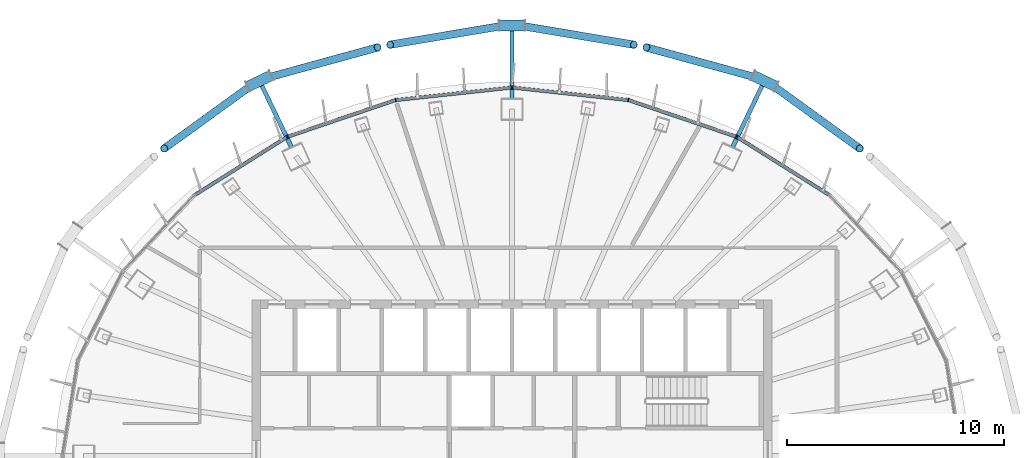
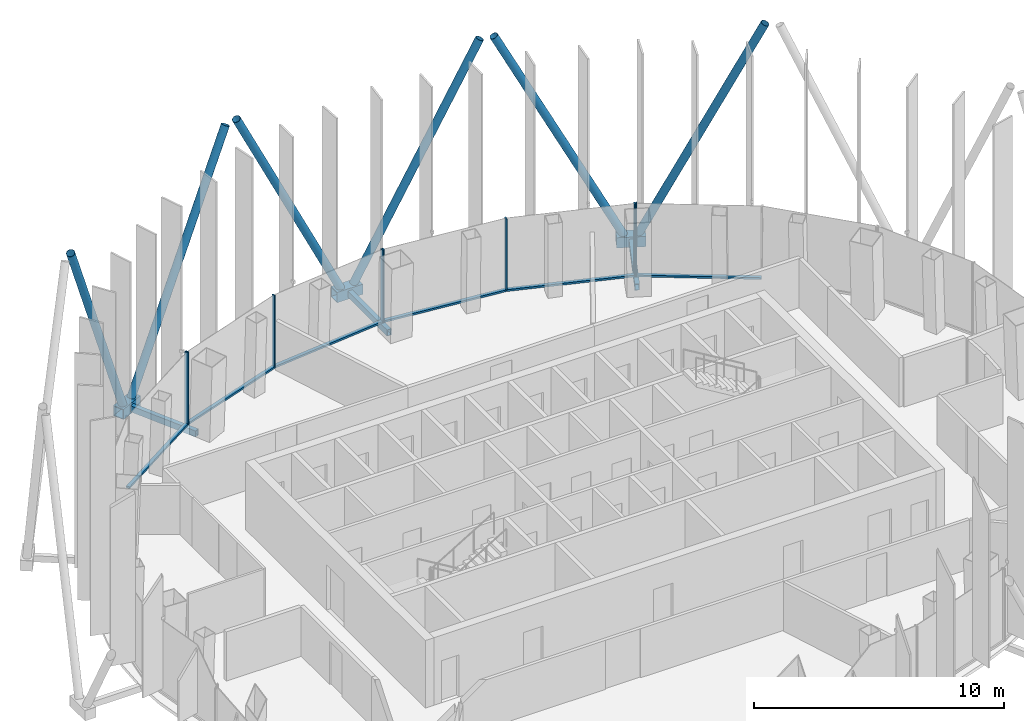
# One storey, part 7 of 19: 26 members, 4 elements without a shape of their own.
"""IFC4 building model written with IfcOpenShell, lengths in metres."""

from ifc_helpers import new_model, si_unit, direction, frame, origin, origin_2d, place, context, subcontext, project, spatial, rectangle, hollow_rectangle, hollow_circle, extrude, material, layer, layer_set, material_profile, profile_set, type_object, element, aggregate, save


model = new_model("IFC4")

# Units and contexts
model_context = context("Model", 3, precision=1e-05, world=origin(), true_north=direction((0.0, 1.0)))
body_context = subcontext(model_context, "Body", "Model", "MODEL_VIEW")
ifc_project = project(units=[si_unit("LENGTHUNIT", "METRE"), si_unit("AREAUNIT", "SQUARE_METRE"), si_unit("VOLUMEUNIT", "CUBIC_METRE"), si_unit("PLANEANGLEUNIT", "RADIAN"), si_unit("MASSUNIT", "GRAM", prefix="KILO")], contexts=[model_context])

# Site, building, storey
site_placement = place(None, origin())
site = spatial("IfcSite", under=ifc_project, at=site_placement, CompositionType="ELEMENT")
building_placement = place(site_placement, origin())
building = spatial("IfcBuilding", under=site, at=building_placement, Name="Siaravel Broadcast Tower", CompositionType="ELEMENT")
storey_placement = place(building_placement, frame((0.0, 0.0, 250.39990234375)))
storey = spatial("IfcBuildingStorey", under=building, at=storey_placement, Name="L61", CompositionType="ELEMENT", Elevation=250.39990234375)

# Curtain wall, member
ifc_material_1 = material(Name="Aluminium 6063-T6", Category="aluminium")
ifc_layer = layer(ifc_material_1, 0.159912109375)
ifc_layer_set = layer_set([ifc_layer], Name="Aluminium 6063-T6")
curtain_wall_type = type_object("IfcCurtainWallType", Name="Unitised curtain wall, zone 4", PredefinedType="NOTDEFINED", material=ifc_layer_set)
curtain_wall_1_placement = place(storey_placement, origin())
curtain_wall_1 = element("IfcCurtainWall", 1, at=curtain_wall_1_placement, inside=storey, type_object=curtain_wall_type, Name="L61 Unitised curtain wall, zone 4 02", PredefinedType="NOTDEFINED")
ifc_material_profile_1 = material_profile(ifc_material_1, rectangle(XDim=0.159912109375, YDim=0.054931640625, at=origin_2d()))
ifc_profile_set_1 = profile_set([ifc_material_profile_1], Name="Aluminium 6063-T6")
member_type_1 = type_object("IfcMemberType", Name="CW-Z4 mullion", PredefinedType="MULLION", material=ifc_profile_set_1)
member_1_placement = place(storey_placement, frame((10.386474609375, 14.702880859375, 0.0), z_axis=(0.0, 0.0, 1.0), x_axis=(-0.532150638, -0.84664969, 0.0)))
member_1 = element("IfcMember", 2, at=member_1_placement, type_object=member_type_1, Name="CW-Z4 mullion 3", PredefinedType="MULLION", context=body_context, shape_type="SweptSolid", body=[
    extrude(rectangle(XDim=0.159912109375, YDim=0.054931640625, at=origin_2d()), origin(), (0.0, 0.0, 1.0), 3.550048828125),
])

# Curtain wall, members
curtain_wall_2_placement = place(storey_placement, origin())
curtain_wall_2 = element("IfcCurtainWall", 3, at=curtain_wall_2_placement, inside=storey, type_object=curtain_wall_type, Name="L61 Unitised curtain wall, zone 4 03", PredefinedType="NOTDEFINED")
member_2_placement = place(storey_placement, frame((10.337158203125, 14.726318359375, 0.0), z_axis=(0.0, 0.0, 1.0), x_axis=(-0.321301584, -0.946976923, 0.0)))
member_2 = element("IfcMember", 4, at=member_2_placement, type_object=member_type_1, Name="CW-Z4 mullion 1", PredefinedType="MULLION", context=body_context, shape_type="SweptSolid", body=[
    extrude(rectangle(XDim=0.159912109375, YDim=0.054931640625, at=origin_2d()), origin(), (0.0, 0.0, 1.0), 3.550048828125),
])
member_3_placement = place(storey_placement, frame((5.364013671875, 16.413818359375, 0.0), z_axis=(0.0, 0.0, 1.0), x_axis=(-0.215558728, -0.976490878, 0.0)))
member_3 = element("IfcMember", 5, at=member_3_placement, type_object=member_type_1, Name="CW-Z4 mullion 2", PredefinedType="MULLION", context=body_context, shape_type="SweptSolid", body=[
    extrude(rectangle(XDim=0.159912109375, YDim=0.054931640625, at=origin_2d()), origin(), (0.0, 0.0, 1.0), 3.550048828125),
])
member_4_placement = place(storey_placement, frame((0.02734375, 16.9892578125, 0.0), z_axis=(0.0, 0.0, 1.0), x_axis=(-0.107217823, -0.994235555, 0.0)))
member_4 = element("IfcMember", 6, at=member_4_placement, type_object=member_type_1, Name="CW-Z4 mullion 3", PredefinedType="MULLION", context=body_context, shape_type="SweptSolid", body=[
    extrude(rectangle(XDim=0.159912109375, YDim=0.054931640625, at=origin_2d()), origin(), (0.0, 0.0, 1.0), 3.550048828125),
])

curtain_wall_3_placement = place(storey_placement, origin())
curtain_wall_3 = element("IfcCurtainWall", 7, at=curtain_wall_3_placement, inside=storey, type_object=curtain_wall_type, Name="L61 Unitised curtain wall, zone 4 04", PredefinedType="NOTDEFINED")
member_5_placement = place(storey_placement, frame((-0.02734375, 16.9892578125, 0.0), z_axis=(0.0, 0.0, 1.0), x_axis=(0.107217823, -0.994235555, 0.0)))
member_5 = element("IfcMember", 8, at=member_5_placement, type_object=member_type_1, Name="CW-Z4 mullion 1", PredefinedType="MULLION", context=body_context, shape_type="SweptSolid", body=[
    extrude(rectangle(XDim=0.159912109375, YDim=0.054931640625, at=origin_2d()), origin(), (0.0, 0.0, 1.0), 3.550048828125),
])
member_6_placement = place(storey_placement, frame((-5.364013671875, 16.413818359375, 0.0), z_axis=(0.0, 0.0, 1.0), x_axis=(0.215558728, -0.976490878, 0.0)))
member_6 = element("IfcMember", 9, at=member_6_placement, type_object=member_type_1, Name="CW-Z4 mullion 2", PredefinedType="MULLION", context=body_context, shape_type="SweptSolid", body=[
    extrude(rectangle(XDim=0.159912109375, YDim=0.054931640625, at=origin_2d()), origin(), (0.0, 0.0, 1.0), 3.550048828125),
])
member_7_placement = place(storey_placement, frame((-10.337158203125, 14.726318359375, 0.0), z_axis=(0.0, 0.0, 1.0), x_axis=(0.321301584, -0.946976923, 0.0)))
member_7 = element("IfcMember", 10, at=member_7_placement, type_object=member_type_1, Name="CW-Z4 mullion 3", PredefinedType="MULLION", context=body_context, shape_type="SweptSolid", body=[
    extrude(rectangle(XDim=0.159912109375, YDim=0.054931640625, at=origin_2d()), origin(), (0.0, 0.0, 1.0), 3.550048828125),
])

# Curtain wall, member
curtain_wall_4_placement = place(storey_placement, origin())
curtain_wall_4 = element("IfcCurtainWall", 11, at=curtain_wall_4_placement, inside=storey, type_object=curtain_wall_type, Name="L61 Unitised curtain wall, zone 4 05", PredefinedType="NOTDEFINED")
member_8_placement = place(storey_placement, frame((-10.386474609375, 14.702880859375, 0.0), z_axis=(0.0, 0.0, 1.0), x_axis=(0.532150638, -0.84664969, 0.0)))
member_8 = element("IfcMember", 12, at=member_8_placement, type_object=member_type_1, Name="CW-Z4 mullion 1", PredefinedType="MULLION", context=body_context, shape_type="SweptSolid", body=[
    extrude(rectangle(XDim=0.159912109375, YDim=0.054931640625, at=origin_2d()), origin(), (0.0, 0.0, 1.0), 3.550048828125),
])

# Member
ifc_material_profile_2 = material_profile(ifc_material_1, rectangle(XDim=0.159912109375, YDim=0.090087890625, at=origin_2d()))
ifc_profile_set_2 = profile_set([ifc_material_profile_2], Name="Aluminium 6063-T6")
member_type_2 = type_object("IfcMemberType", Name="CW-Z4 transom", PredefinedType="USERDEFINED", material=ifc_profile_set_2)
member_9_placement = place(storey_placement, frame((14.6337890625, 12.033203125, 0.045166015625), z_axis=(-0.846648518, 0.532152504, 0.0), x_axis=(-0.532152504, -0.846648518, 0.0)))
member_9 = element("IfcMember", 13, at=member_9_placement, type_object=member_type_2, Name="CW-Z4 transom 2", ObjectType="TRANSOM", PredefinedType="USERDEFINED", context=body_context, shape_type="SweptSolid", body=[
    extrude(rectangle(XDim=0.159912109375, YDim=0.090087890625, at=origin_2d()), origin(), (0.0, 0.0, 1.0), 4.9892578125),
])

aggregate(curtain_wall_1, [member_1, member_9])

member_10_placement = place(storey_placement, frame((10.31103515625, 14.735107421875, 0.045166015625), z_axis=(-0.946973595, 0.321311392, 0.0), x_axis=(-0.321311392, -0.946973595, 0.0)))
member_10 = element("IfcMember", 14, at=member_10_placement, type_object=member_type_2, Name="CW-Z4 transom 1", ObjectType="TRANSOM", PredefinedType="USERDEFINED", context=body_context, shape_type="SweptSolid", body=[
    extrude(rectangle(XDim=0.159912109375, YDim=0.090087890625, at=origin_2d()), origin(), (0.0, 0.0, 1.0), 5.196533203125),
])

member_11_placement = place(storey_placement, frame((5.336669921875, 16.416748046875, 0.045166015625), z_axis=(-0.994236077, 0.107212978, 0.0), x_axis=(-0.107212978, -0.994236077, 0.0)))
member_11 = element("IfcMember", 15, at=member_11_placement, type_object=member_type_2, Name="CW-Z4 transom 2", ObjectType="TRANSOM", PredefinedType="USERDEFINED", context=body_context, shape_type="SweptSolid", body=[
    extrude(rectangle(XDim=0.159912109375, YDim=0.090087890625, at=origin_2d()), origin(), (0.0, 0.0, 1.0), 5.3125),
])

aggregate(curtain_wall_2, [member_2, member_3, member_4, member_10, member_11])

member_12_placement = place(storey_placement, frame((-0.0546875, 16.986328125, 0.045166015625), z_axis=(-0.994236077, -0.107212978, 0.0), x_axis=(0.107212978, -0.994236077, 0.0)))
member_12 = element("IfcMember", 16, at=member_12_placement, type_object=member_type_2, Name="CW-Z4 transom 1", ObjectType="TRANSOM", PredefinedType="USERDEFINED", context=body_context, shape_type="SweptSolid", body=[
    extrude(rectangle(XDim=0.159912109375, YDim=0.090087890625, at=origin_2d()), origin(), (0.0, 0.0, 1.0), 5.3125),
])

member_13_placement = place(storey_placement, frame((-5.39013671875, 16.40478515625, 0.045166015625), z_axis=(-0.946973595, -0.321311392, 0.0), x_axis=(0.321311392, -0.946973595, 0.0)))
member_13 = element("IfcMember", 17, at=member_13_placement, type_object=member_type_2, Name="CW-Z4 transom 2", ObjectType="TRANSOM", PredefinedType="USERDEFINED", context=body_context, shape_type="SweptSolid", body=[
    extrude(rectangle(XDim=0.159912109375, YDim=0.090087890625, at=origin_2d()), origin(), (0.0, 0.0, 1.0), 5.196533203125),
])

aggregate(curtain_wall_3, [member_5, member_6, member_7, member_12, member_13])

member_14_placement = place(storey_placement, frame((-10.40966796875, 14.688232421875, 0.045166015625), z_axis=(-0.846648518, -0.532152504, 0.0), x_axis=(0.532152504, -0.846648518, 0.0)))
member_14 = element("IfcMember", 18, at=member_14_placement, type_object=member_type_2, Name="CW-Z4 transom 1", ObjectType="TRANSOM", PredefinedType="USERDEFINED", context=body_context, shape_type="SweptSolid", body=[
    extrude(rectangle(XDim=0.159912109375, YDim=0.090087890625, at=origin_2d()), origin(), (0.0, 0.0, 1.0), 4.9892578125),
])

aggregate(curtain_wall_4, [member_8, member_14])

# Members
ifc_material_2 = material(Name="Steel S460", Category="steel")
ifc_material_profile_3 = material_profile(ifc_material_2, hollow_circle(Radius=0.177734375, WallThickness=0.012451171875, at=origin_2d()))
ifc_profile_set_3 = profile_set([ifc_material_profile_3], Name="Steel S460")
member_type_3 = type_object("IfcMemberType", Name="Diagrid diagonal CHS 355.6x12.5", PredefinedType="BRACE", material=ifc_profile_set_3)
member_15_placement = place(storey_placement, frame((11.91259765625, 17.1689453125, 0.02001953125), z_axis=(0.349638066, -0.253035159, 0.902067864), x_axis=(0.586280234, 0.810108318, 0.0)))
element("IfcMember", 19, at=member_15_placement, inside=storey, type_object=member_type_3, Name="Diagrid diagonal R25 station 12C", PredefinedType="BRACE", context=body_context, shape_type="SweptSolid", body=[
    extrude(hollow_circle(Radius=0.177734375, WallThickness=0.012451171875, at=origin_2d()), origin(), (0.0, 0.0, 1.0), 11.8173828125),
])
member_16_placement = place(storey_placement, frame((11.378173828125, 17.421630859375, 0.02001953125), z_axis=(-0.433866118, 0.118918424, 0.893094956), x_axis=(-0.264340585, -0.964429393, 0.0)))
element("IfcMember", 20, at=member_16_placement, inside=storey, type_object=member_type_3, Name="Diagrid diagonal R25 station 12A", PredefinedType="BRACE", context=body_context, shape_type="SweptSolid", body=[
    extrude(hollow_circle(Radius=0.177734375, WallThickness=0.012451171875, at=origin_2d()), origin(), (0.0, 0.0, 1.0), 11.936279296875),
])
for number, where, z_axis, x_axis, name in (
    (21, (0.295654296875, 19.85693359375, 0.02001953125), (0.445729387, -0.074386978, 0.892071685), (0.164611595, 0.986358466, 0.0), "Diagrid diagonal R25 station 18C"),
    (22, (-0.295654296875, 19.85693359375, 0.02001953125), (-0.445729387, -0.074386978, 0.892071685), (0.164611595, -0.986358466, 0.0), "Diagrid diagonal R25 station 18A"),
):
    element("IfcMember", number, at=place(storey_placement, frame(where, z_axis=z_axis, x_axis=x_axis)), inside=storey, type_object=member_type_3, Name=name, PredefinedType="BRACE", context=body_context, shape_type="SweptSolid", body=[
        extrude(hollow_circle(Radius=0.177734375, WallThickness=0.012451171875, at=origin_2d()), origin(), (0.0, 0.0, 1.0), 11.949951171875),
    ])
member_17_placement = place(storey_placement, frame((-11.378173828125, 17.421630859375, 0.02001953125), z_axis=(0.433866118, 0.118918424, 0.893094956), x_axis=(-0.264340585, 0.964429393, 0.0)))
element("IfcMember", 23, at=member_17_placement, inside=storey, type_object=member_type_3, Name="Diagrid diagonal R25 station 24C", PredefinedType="BRACE", context=body_context, shape_type="SweptSolid", body=[
    extrude(hollow_circle(Radius=0.177734375, WallThickness=0.012451171875, at=origin_2d()), origin(), (0.0, 0.0, 1.0), 11.936279296875),
])
member_18_placement = place(storey_placement, frame((-11.91259765625, 17.1689453125, 0.02001953125), z_axis=(-0.349638066, -0.253035159, 0.902067864), x_axis=(0.586280234, -0.810108318, 0.0)))
element("IfcMember", 24, at=member_18_placement, inside=storey, type_object=member_type_3, Name="Diagrid diagonal R25 station 24A", PredefinedType="BRACE", context=body_context, shape_type="SweptSolid", body=[
    extrude(hollow_circle(Radius=0.177734375, WallThickness=0.012451171875, at=origin_2d()), origin(), (0.0, 0.0, 1.0), 11.8173828125),
])
ifc_material_profile_4 = material_profile(ifc_material_2, hollow_rectangle(XDim=0.5, YDim=0.5, WallThickness=0.031982421875, at=origin_2d()))
ifc_profile_set_4 = profile_set([ifc_material_profile_4], Name="Steel S460")
member_type_4 = type_object("IfcMemberType", Name="Diagrid node BOX 500x500x32", PredefinedType="USERDEFINED", material=ifc_profile_set_4)
for number, where, z_axis, x_axis, name in (
    (25, (12.181884765625, 17.04150390625, -0.199951171875), (-0.903963868, 0.427608847, 0.0), (-0.427608847, -0.903963868, 0.0), "Diagrid node R25 station 12"),
    (26, (0.593505859375, 19.85693359375, -0.199951171875), (-1.0, 0.0, 0.0), (0.0, -1.0, 0.0), "Diagrid node R25 station 18"),
    (27, (-11.10888671875, 17.549072265625, -0.199951171875), (-0.903963868, -0.427608847, 0.0), (0.427608847, -0.903963868, 0.0), "Diagrid node R25 station 24"),
):
    element("IfcMember", number, at=place(storey_placement, frame(where, z_axis=z_axis, x_axis=x_axis)), inside=storey, type_object=member_type_4, Name=name, ObjectType="DIAGRID NODE", PredefinedType="USERDEFINED", context=body_context, shape_type="SweptSolid", body=[
        extrude(hollow_rectangle(XDim=0.5, YDim=0.5, WallThickness=0.031982421875, at=origin_2d()), origin(), (0.0, 0.0, 1.0), 1.18701171875),
    ])
ifc_material_profile_5 = material_profile(ifc_material_2, hollow_rectangle(XDim=0.199951171875, YDim=0.300048828125, WallThickness=0.012451171875, at=origin_2d()))
ifc_profile_set_5 = profile_set([ifc_material_profile_5], Name="Steel S460")
member_type_5 = type_object("IfcMemberType", Name="Diagrid node arm RHS 300x200x12.5", PredefinedType="STRUT", material=ifc_profile_set_5)
member_19_placement = place(storey_placement, frame((10.171630859375, 14.23779296875, -0.199951171875), z_axis=(0.434183283, 0.900824554, 0.0), x_axis=(-0.900824554, 0.434183283, 0.0)))
element("IfcMember", 28, at=member_19_placement, inside=storey, type_object=member_type_5, Name="Node arm R25 station 12", PredefinedType="STRUT", context=body_context, shape_type="SweptSolid", body=[
    extrude(hollow_rectangle(XDim=0.199951171875, YDim=0.300048828125, WallThickness=0.012451171875, at=origin_2d()), origin(), (0.0, 0.0, 1.0), 3.174072265625),
])
member_20_placement = place(storey_placement, frame((0.0, 16.469482421875, -0.199951171875), z_axis=(0.0, 1.0, 0.0), x_axis=(-1.0, 0.0, 0.0)))
element("IfcMember", 29, at=member_20_placement, inside=storey, type_object=member_type_5, Name="Node arm R25 station 18", PredefinedType="STRUT", context=body_context, shape_type="SweptSolid", body=[
    extrude(hollow_rectangle(XDim=0.199951171875, YDim=0.300048828125, WallThickness=0.012451171875, at=origin_2d()), origin(), (0.0, 0.0, 1.0), 3.16748046875),
])
member_21_placement = place(storey_placement, frame((-10.171630859375, 14.23779296875, -0.199951171875), z_axis=(-0.434183283, 0.900824554, 0.0), x_axis=(-0.900824554, -0.434183283, 0.0)))
element("IfcMember", 30, at=member_21_placement, inside=storey, type_object=member_type_5, Name="Node arm R25 station 24", PredefinedType="STRUT", context=body_context, shape_type="SweptSolid", body=[
    extrude(hollow_rectangle(XDim=0.199951171875, YDim=0.300048828125, WallThickness=0.012451171875, at=origin_2d()), origin(), (0.0, 0.0, 1.0), 3.174072265625),
])

save(model, "model.ifc")
